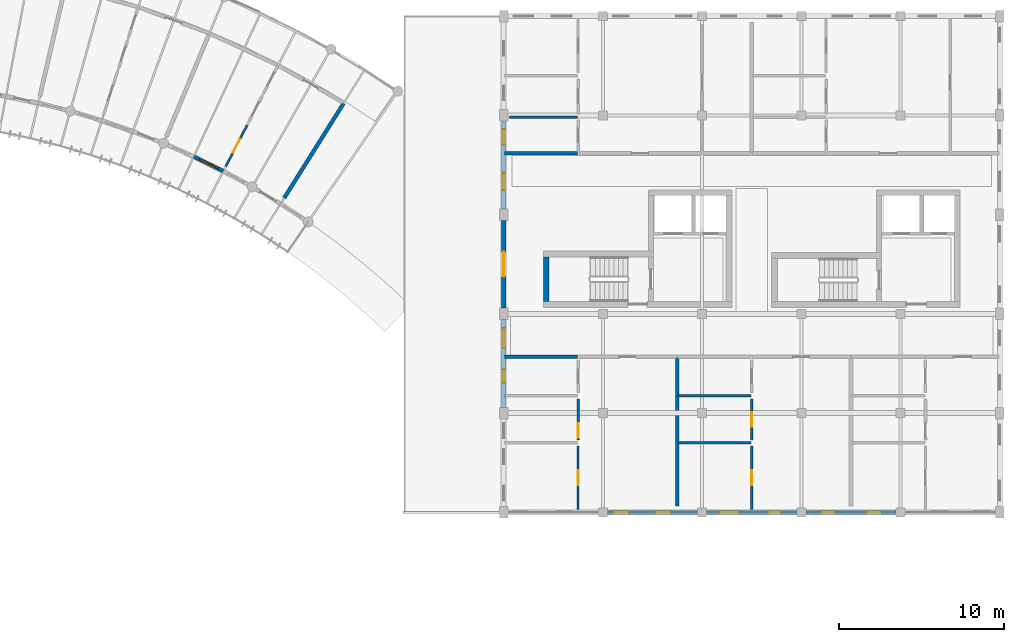
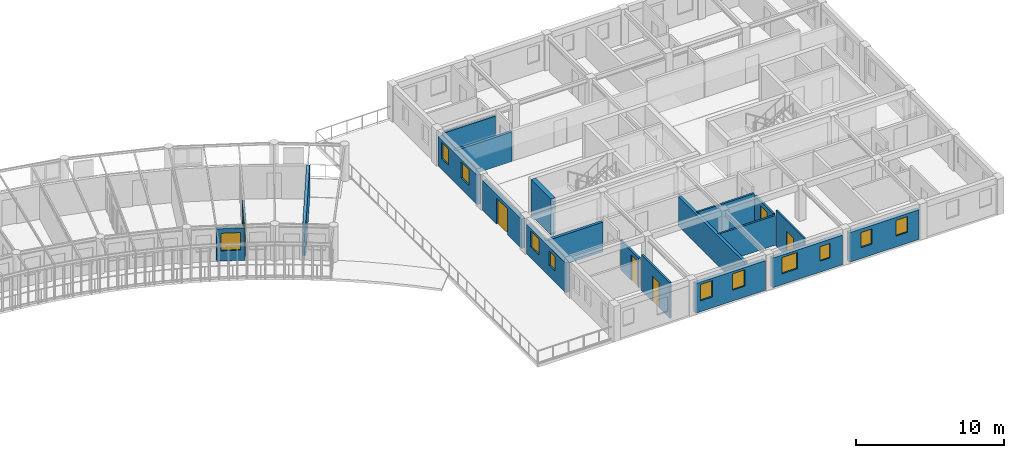
# One storey, part 78 of 101: 20 walls, 11 windows, 6 doors, 17 openings.
"""IFC4 building model written with IfcOpenShell, lengths in metres."""

from ifc_helpers import new_model, si_unit, direction, frame, frame_2d, origin, place, context, subcontext, project, spatial, rectangle, extrude, material, layer, layer_set, type_object, element, fill, save


model = new_model("IFC4")

# Units and contexts
model_context = context("Model", 3, precision=1e-05, world=origin(), true_north=direction((0.0, 1.0)))
body_context = subcontext(model_context, "Body", "Model", "MODEL_VIEW")
ifc_project = project(units=[si_unit("LENGTHUNIT", "METRE"), si_unit("AREAUNIT", "SQUARE_METRE"), si_unit("VOLUMEUNIT", "CUBIC_METRE"), si_unit("PLANEANGLEUNIT", "RADIAN"), si_unit("MASSUNIT", "GRAM", prefix="KILO"), si_unit("POWERUNIT", "WATT"), si_unit("THERMODYNAMICTEMPERATUREUNIT", "KELVIN")], contexts=[model_context])

# Site, building, storey
site_placement = place(None, origin())
site = spatial("IfcSite", under=ifc_project, at=site_placement, CompositionType="ELEMENT")
building_placement = place(site_placement, origin())
building = spatial("IfcBuilding", under=site, at=building_placement, Name="Ruvembo Vaulted Housing Court", CompositionType="ELEMENT")
storey_placement = place(building_placement, frame((0.0, 0.0, 17.300048828125)))
storey = spatial("IfcBuildingStorey", under=building, at=storey_placement, Name="L05", CompositionType="ELEMENT", Elevation=17.300048828125)

# Walls
ifc_material_1 = material(Name="Concrete C35/45", Category="concrete")
ifc_layer_1 = layer(ifc_material_1, 0.35009765625, Name="Concrete C35/45")
ifc_layer_set_1 = layer_set([ifc_layer_1], Name="Concrete C35/45")
wall_type_1 = type_object("IfcWallType", Name="WL-CORE-350", PredefinedType="SHEAR", material=ifc_layer_set_1)
wall_1_placement = place(storey_placement, frame((158.574951171875, 87.449951171875, 0.0), z_axis=(0.0, 0.0, 1.0), x_axis=(0.0, -1.0, 0.0)))
element("IfcWall", 1, at=wall_1_placement, inside=storey, type_object=wall_type_1, Name="Core D1 L05 Stair West Shear Wall", PredefinedType="SHEAR", context=body_context, shape_type="SweptSolid", body=[
    extrude(rectangle(XDim=2.699951171875, YDim=0.35009765625, at=frame_2d((1.35009765625, 0.0))), origin(), (0.0, 0.0, 1.0), 2.96484375),
])
ifc_material_2 = material(Name="Concrete Blockwork 210", Category="masonry")
ifc_layer_2 = layer(ifc_material_2, 0.2099609375, Name="Concrete Blockwork 210")
ifc_layer_set_2 = layer_set([ifc_layer_2], Name="Concrete Blockwork 210")
wall_type_2 = type_object("IfcWallType", Name="WL-CORR-210", PredefinedType="SOLIDWALL", material=ifc_layer_set_2)
for number, where, z_axis, x_axis, name in (
    (2, (156.0400390625, 81.39990234375, 0.0), (0.0, 0.0, 1.0), (1.0, 0.0, 0.0), "L05 Flat D-L05-S1 Corridor Wall WL-INT-L05-01537"),
    (3, (156.0400390625, 93.699951171875, 0.0), (0.0, 0.0, 1.0), (1.0, 0.0, 0.0), "L05 Flat D-L05-N1 Corridor Wall WL-INT-L05-01560"),
):
    element("IfcWall", number, at=place(storey_placement, frame(where, z_axis=z_axis, x_axis=x_axis)), inside=storey, type_object=wall_type_2, Name=name, PredefinedType="SOLIDWALL", context=body_context, shape_type="SweptSolid", body=[
        extrude(rectangle(XDim=4.419921875, YDim=0.2099609375, at=frame_2d((2.2099609375, 0.0))), origin(), (0.0, 0.0, 1.0), 2.447021484375),
    ])
ifc_material_3 = material(Name="Acoustic Masonry Demising 230", Category="masonry")
ifc_layer_3 = layer(ifc_material_3, 0.22998046875, Name="Acoustic Masonry Demising 230")
ifc_layer_set_3 = layer_set([ifc_layer_3], Name="Acoustic Masonry Demising 230")
wall_type_3 = type_object("IfcWallType", Name="WL-DEM-230", PredefinedType="SOLIDWALL", material=ifc_layer_set_3)
wall_2_placement = place(storey_placement, frame((166.5, 72.389892578125, 0.0), z_axis=(0.0, 0.0, 1.0), x_axis=(0.0, 1.0, 0.0)))
element("IfcWall", 4, at=wall_2_placement, inside=storey, type_object=wall_type_3, Name="L05 Demising D-L05-S1 WL-INT-L05-01536", PredefinedType="SOLIDWALL", context=body_context, shape_type="SweptSolid", body=[
    extrude(rectangle(XDim=8.97021484375, YDim=0.22998046875, at=frame_2d((4.485107421875, 0.0))), origin(), (0.0, 0.0, 1.0), 2.447021484375),
])
wall_3_placement = place(storey_placement, frame((142.73828125, 91.017333984375, 0.0), z_axis=(0.0, 0.0, 1.0), x_axis=(0.531512997039, 0.847050136638, 0.0)))
element("IfcWall", 5, at=wall_3_placement, inside=storey, type_object=wall_type_3, Name="L05 Suite SC3-L05-U7 Demising WL-INT-L05-01689", PredefinedType="SOLIDWALL", context=body_context, shape_type="SweptSolid", body=[
    extrude(rectangle(XDim=6.736083984375, YDim=0.22998046875, at=frame_2d((3.3681640625, 0.0))), origin(), (0.0, 0.0, 1.0), 2.75390625),
])

# Wall, opening, window
ifc_material_4 = material(Name="Rendered Masonry 235", Category="masonry")
ifc_layer_4 = layer(ifc_material_4, 0.235107421875, Name="Rendered Masonry 235")
ifc_layer_set_4 = layer_set([ifc_layer_4], Name="Rendered Masonry 235")
wall_type_4 = type_object("IfcWallType", Name="WL-EXT-235", PredefinedType="STANDARD", material=ifc_layer_set_4)
wall_4_placement = place(storey_placement, frame((137.283203125, 93.50341796875, 0.0), z_axis=(0.0, 0.0, 1.0), x_axis=(0.897531751182, -0.44094983345, 0.0)))
wall_4 = element("IfcWall", 6, at=wall_4_placement, inside=storey, type_object=wall_type_4, Name="Scoop SC3 L05 Concave Balcony Wall 25", PredefinedType="STANDARD", context=body_context, shape_type="SweptSolid", body=[
    extrude(rectangle(XDim=1.9521484375, YDim=0.235107421875, at=frame_2d((0.97607421875, 0.0))), origin(), (0.0, 0.0, 1.0), 2.676025390625),
])
opening_1_placement = place(wall_4_placement, frame((0.326171875, 0.0, 0.85009765625)))
opening_1 = element("IfcOpeningElement", 7, at=opening_1_placement, cuts=wall_4, Name="Opening W15", PredefinedType="OPENING", context=body_context, shape_type="SweptSolid", body=[
    extrude(rectangle(XDim=1.300048828125, YDim=1.449951171875, at=frame_2d((0.64990234375, 0.72509765625))), frame((0.0, 0.12744140625, 0.0), z_axis=(0.0, -1.0, 0.0), x_axis=(1.0, 0.0, 0.0)), (0.0, 0.0, 1.0), 0.255126953125),
])
ifc_material_5 = material(Name="Double Solar-Control Glazing in Aluminium Frame", Category="aluminium")
window_type_1 = type_object("IfcWindowType", Name="WIN-1300x1450", PartitioningType="SINGLE_PANEL", PredefinedType="WINDOW", material=ifc_material_5)
window_1_placement = place(opening_1_placement, origin())
window_1 = element("IfcWindow", 8, at=window_1_placement, inside=storey, type_object=window_type_1, Name="Scoop SC3 L05 Concave Window 25", OverallHeight=1.449951171875, OverallWidth=1.300048828125, PartitioningType="SINGLE_PANEL", PredefinedType="WINDOW", context=body_context, shape_type="SweptSolid", body=[
    extrude(rectangle(XDim=1.300048828125, YDim=1.449951171875, at=frame_2d((0.64990234375, 0.72509765625))), frame((0.0, 0.030029296875, 0.0), z_axis=(0.0, -1.0, 0.0), x_axis=(1.0, 0.0, 0.0)), (0.0, 0.0, 1.0), 0.06005859375),
])
fill(opening_1, window_1)

# Wall, openings, windows
ifc_material_6 = material(Name="Rendered Masonry 285", Category="masonry")
ifc_layer_5 = layer(ifc_material_6, 0.284912109375, Name="Rendered Masonry 285")
ifc_layer_set_5 = layer_set([ifc_layer_5], Name="Rendered Masonry 285")
wall_type_5 = type_object("IfcWallType", Name="WL-EXT-285", PredefinedType="STANDARD", material=ifc_layer_set_5)
wall_5_placement = place(storey_placement, frame((162.27490234375, 72.0, 0.0), z_axis=(0.0, 0.0, 1.0), x_axis=(1.0, 0.0, 0.0)))
wall_5 = element("IfcWall", 9, at=wall_5_placement, inside=storey, type_object=wall_type_5, Name="Block D L05 Exterior Wall COURTYARD #2", PredefinedType="STANDARD", context=body_context, shape_type="SweptSolid", body=[
    extrude(rectangle(XDim=5.4501953125, YDim=0.284912109375, at=frame_2d((2.72509765625, 0.0))), origin(), (0.0, 0.0, 1.0), 2.447021484375),
])
opening_2_placement = place(wall_5_placement, frame((0.35009765625, 0.0, 0.89990234375)))
opening_2 = element("IfcOpeningElement", 10, at=opening_2_placement, cuts=wall_5, Name="Opening W07", PredefinedType="OPENING", context=body_context, shape_type="SweptSolid", body=[
    extrude(rectangle(XDim=0.949951171875, YDim=1.35009765625, at=frame_2d((0.47509765625, 0.675048828125))), frame((0.0, 0.15234375, 0.0), z_axis=(0.0, -1.0, 0.0), x_axis=(1.0, 0.0, 0.0)), (0.0, 0.0, 1.0), 0.304931640625),
])
opening_3_placement = place(wall_5_placement, frame((2.885009765625, 0.0, 0.89990234375)))
opening_3 = element("IfcOpeningElement", 11, at=opening_3_placement, cuts=wall_5, Name="Opening W07", PredefinedType="OPENING", context=body_context, shape_type="SweptSolid", body=[
    extrude(rectangle(XDim=0.949951171875, YDim=1.35009765625, at=frame_2d((0.47509765625, 0.675048828125))), frame((0.0, 0.15234375, 0.0), z_axis=(0.0, -1.0, 0.0), x_axis=(1.0, 0.0, 0.0)), (0.0, 0.0, 1.0), 0.304931640625),
])
window_type_2 = type_object("IfcWindowType", Name="WIN-0950x1350", PartitioningType="SINGLE_PANEL", PredefinedType="WINDOW", material=ifc_material_5)
window_2_placement = place(opening_2_placement, origin())
window_2 = element("IfcWindow", 12, at=window_2_placement, inside=storey, type_object=window_type_2, Name="Block D L05 Window #1665", OverallHeight=1.35009765625, OverallWidth=0.949951171875, PartitioningType="SINGLE_PANEL", PredefinedType="WINDOW", context=body_context, shape_type="SweptSolid", body=[
    extrude(rectangle(XDim=0.949951171875, YDim=1.35009765625, at=frame_2d((0.47509765625, 0.675048828125))), frame((0.0, 0.030029296875, 0.0), z_axis=(0.0, -1.0, 0.0), x_axis=(1.0, 0.0, 0.0)), (0.0, 0.0, 1.0), 0.06005859375),
])
fill(opening_2, window_2)
window_3_placement = place(opening_3_placement, origin())
window_3 = element("IfcWindow", 13, at=window_3_placement, inside=storey, type_object=window_type_2, Name="Block D L05 Window #1666", OverallHeight=1.35009765625, OverallWidth=0.949951171875, PartitioningType="SINGLE_PANEL", PredefinedType="WINDOW", context=body_context, shape_type="SweptSolid", body=[
    extrude(rectangle(XDim=0.949951171875, YDim=1.35009765625, at=frame_2d((0.47509765625, 0.675048828125))), frame((0.0, 0.030029296875, 0.0), z_axis=(0.0, -1.0, 0.0), x_axis=(1.0, 0.0, 0.0)), (0.0, 0.0, 1.0), 0.06005859375),
])
fill(opening_3, window_3)

wall_6_placement = place(storey_placement, frame((168.27490234375, 72.0, 0.0), z_axis=(0.0, 0.0, 1.0), x_axis=(1.0, 0.0, 0.0)))
wall_6 = element("IfcWall", 14, at=wall_6_placement, inside=storey, type_object=wall_type_5, Name="Block D L05 Exterior Wall COURTYARD #3", PredefinedType="STANDARD", context=body_context, shape_type="SweptSolid", body=[
    extrude(rectangle(XDim=5.4501953125, YDim=0.284912109375, at=frame_2d((2.72509765625, 0.0))), origin(), (0.0, 0.0, 1.0), 2.447021484375),
])
opening_4_placement = place(wall_6_placement, frame((0.742431640625, 0.0, 0.89990234375)))
opening_4 = element("IfcOpeningElement", 15, at=opening_4_placement, cuts=wall_6, Name="Opening W12", PredefinedType="OPENING", context=body_context, shape_type="SweptSolid", body=[
    extrude(rectangle(XDim=1.199951171875, YDim=1.35009765625, at=frame_2d((0.60009765625, 0.675048828125))), frame((0.0, 0.15234375, 0.0), z_axis=(0.0, -1.0, 0.0), x_axis=(1.0, 0.0, 0.0)), (0.0, 0.0, 1.0), 0.304931640625),
])
opening_5_placement = place(wall_6_placement, frame((3.70751953125, 0.0, 0.89990234375)))
opening_5 = element("IfcOpeningElement", 16, at=opening_5_placement, cuts=wall_6, Name="Opening W02", PredefinedType="OPENING", context=body_context, shape_type="SweptSolid", body=[
    extrude(rectangle(XDim=0.800048828125, YDim=1.199951171875, at=frame_2d((0.39990234375, 0.60009765625))), frame((0.0, 0.15234375, 0.0), z_axis=(0.0, -1.0, 0.0), x_axis=(1.0, 0.0, 0.0)), (0.0, 0.0, 1.0), 0.304931640625),
])
window_type_3 = type_object("IfcWindowType", Name="WIN-0800x1200", PartitioningType="SINGLE_PANEL", PredefinedType="WINDOW", material=ifc_material_5)
window_4_placement = place(opening_5_placement, origin())
window_4 = element("IfcWindow", 17, at=window_4_placement, inside=storey, type_object=window_type_3, Name="Block D L05 Window #1668", OverallHeight=1.199951171875, OverallWidth=0.800048828125, PartitioningType="SINGLE_PANEL", PredefinedType="WINDOW", context=body_context, shape_type="SweptSolid", body=[
    extrude(rectangle(XDim=0.800048828125, YDim=1.199951171875, at=frame_2d((0.39990234375, 0.60009765625))), frame((0.0, 0.030029296875, 0.0), z_axis=(0.0, -1.0, 0.0), x_axis=(1.0, 0.0, 0.0)), (0.0, 0.0, 1.0), 0.06005859375),
])
fill(opening_5, window_4)
window_type_4 = type_object("IfcWindowType", Name="WIN-1200x1350", PartitioningType="SINGLE_PANEL", PredefinedType="WINDOW", material=ifc_material_5)
window_5_placement = place(opening_4_placement, origin())
window_5 = element("IfcWindow", 18, at=window_5_placement, inside=storey, type_object=window_type_4, Name="Block D L05 Window #1667", OverallHeight=1.35009765625, OverallWidth=1.199951171875, PartitioningType="SINGLE_PANEL", PredefinedType="WINDOW", context=body_context, shape_type="SweptSolid", body=[
    extrude(rectangle(XDim=1.199951171875, YDim=1.35009765625, at=frame_2d((0.60009765625, 0.675048828125))), frame((0.0, 0.030029296875, 0.0), z_axis=(0.0, -1.0, 0.0), x_axis=(1.0, 0.0, 0.0)), (0.0, 0.0, 1.0), 0.06005859375),
])
fill(opening_4, window_5)

wall_7_placement = place(storey_placement, frame((174.27490234375, 72.0, 0.0), z_axis=(0.0, 0.0, 1.0), x_axis=(1.0, 0.0, 0.0)))
wall_7 = element("IfcWall", 19, at=wall_7_placement, inside=storey, type_object=wall_type_5, Name="Block D L05 Exterior Wall COURTYARD #4", PredefinedType="STANDARD", context=body_context, shape_type="SweptSolid", body=[
    extrude(rectangle(XDim=5.4501953125, YDim=0.284912109375, at=frame_2d((2.72509765625, 0.0))), origin(), (0.0, 0.0, 1.0), 2.447021484375),
])
opening_6_placement = place(wall_7_placement, frame((0.91748046875, 0.0, 0.89990234375)))
opening_6 = element("IfcOpeningElement", 20, at=opening_6_placement, cuts=wall_7, Name="Opening W03", PredefinedType="OPENING", context=body_context, shape_type="SweptSolid", body=[
    extrude(rectangle(XDim=0.85009765625, YDim=1.25, at=frame_2d((0.425048828125, 0.625))), frame((0.0, 0.15234375, 0.0), z_axis=(0.0, -1.0, 0.0), x_axis=(1.0, 0.0, 0.0)), (0.0, 0.0, 1.0), 0.304931640625),
])
opening_7_placement = place(wall_7_placement, frame((3.657470703125, 0.0, 0.89990234375)))
opening_7 = element("IfcOpeningElement", 21, at=opening_7_placement, cuts=wall_7, Name="Opening W04", PredefinedType="OPENING", context=body_context, shape_type="SweptSolid", body=[
    extrude(rectangle(XDim=0.89990234375, YDim=1.300048828125, at=frame_2d((0.449951171875, 0.64990234375))), frame((0.0, 0.15234375, 0.0), z_axis=(0.0, -1.0, 0.0), x_axis=(1.0, 0.0, 0.0)), (0.0, 0.0, 1.0), 0.304931640625),
])
window_type_5 = type_object("IfcWindowType", Name="WIN-0850x1250", PartitioningType="SINGLE_PANEL", PredefinedType="WINDOW", material=ifc_material_5)
window_6_placement = place(opening_6_placement, origin())
window_6 = element("IfcWindow", 22, at=window_6_placement, inside=storey, type_object=window_type_5, Name="Block D L05 Window #1669", OverallHeight=1.25, OverallWidth=0.85009765625, PartitioningType="SINGLE_PANEL", PredefinedType="WINDOW", context=body_context, shape_type="SweptSolid", body=[
    extrude(rectangle(XDim=0.85009765625, YDim=1.25, at=frame_2d((0.425048828125, 0.625))), frame((0.0, 0.030029296875, 0.0), z_axis=(0.0, -1.0, 0.0), x_axis=(1.0, 0.0, 0.0)), (0.0, 0.0, 1.0), 0.06005859375),
])
fill(opening_6, window_6)
window_type_6 = type_object("IfcWindowType", Name="WIN-0900x1300", PartitioningType="SINGLE_PANEL", PredefinedType="WINDOW", material=ifc_material_5)
window_7_placement = place(opening_7_placement, origin())
window_7 = element("IfcWindow", 23, at=window_7_placement, inside=storey, type_object=window_type_6, Name="Block D L05 Window #1670", OverallHeight=1.300048828125, OverallWidth=0.89990234375, PartitioningType="SINGLE_PANEL", PredefinedType="WINDOW", context=body_context, shape_type="SweptSolid", body=[
    extrude(rectangle(XDim=0.89990234375, YDim=1.300048828125, at=frame_2d((0.449951171875, 0.64990234375))), frame((0.0, 0.030029296875, 0.0), z_axis=(0.0, -1.0, 0.0), x_axis=(1.0, 0.0, 0.0)), (0.0, 0.0, 1.0), 0.06005859375),
])
fill(opening_7, window_7)

wall_8_placement = place(storey_placement, frame((156.0, 95.64990234375, 0.0), z_axis=(0.0, 0.0, 1.0), x_axis=(0.0, -1.0, 0.0)))
wall_8 = element("IfcWall", 24, at=wall_8_placement, inside=storey, type_object=wall_type_5, Name="Block D L05 Exterior Wall WEST #2", PredefinedType="STANDARD", context=body_context, shape_type="SweptSolid", body=[
    extrude(rectangle(XDim=5.2998046875, YDim=0.284912109375, at=frame_2d((2.64990234375, 0.0))), origin(), (0.0, 0.0, 1.0), 2.447021484375),
])
opening_8_placement = place(wall_8_placement, frame((0.47998046875, 0.0, 0.89990234375)))
opening_8 = element("IfcOpeningElement", 25, at=opening_8_placement, cuts=wall_8, Name="Opening W07", PredefinedType="OPENING", context=body_context, shape_type="SweptSolid", body=[
    extrude(rectangle(XDim=0.949951171875, YDim=1.35009765625, at=frame_2d((0.47509765625, 0.675048828125))), frame((0.0, 0.15234375, 0.0), z_axis=(0.0, -1.0, 0.0), x_axis=(1.0, 0.0, 0.0)), (0.0, 0.0, 1.0), 0.304931640625),
])
opening_9_placement = place(wall_8_placement, frame((3.1201171875, 0.0, 0.89990234375)))
opening_9 = element("IfcOpeningElement", 26, at=opening_9_placement, cuts=wall_8, Name="Opening W09", PredefinedType="OPENING", context=body_context, shape_type="SweptSolid", body=[
    extrude(rectangle(XDim=1.050048828125, YDim=1.35009765625, at=frame_2d((0.52490234375, 0.675048828125))), frame((0.0, 0.15234375, 0.0), z_axis=(0.0, -1.0, 0.0), x_axis=(1.0, 0.0, 0.0)), (0.0, 0.0, 1.0), 0.304931640625),
])
window_8_placement = place(opening_8_placement, origin())
window_8 = element("IfcWindow", 27, at=window_8_placement, inside=storey, type_object=window_type_2, Name="Block D L05 Window #1695", OverallHeight=1.35009765625, OverallWidth=0.949951171875, PartitioningType="SINGLE_PANEL", PredefinedType="WINDOW", context=body_context, shape_type="SweptSolid", body=[
    extrude(rectangle(XDim=0.949951171875, YDim=1.35009765625, at=frame_2d((0.47509765625, 0.675048828125))), frame((0.0, 0.030029296875, 0.0), z_axis=(0.0, -1.0, 0.0), x_axis=(1.0, 0.0, 0.0)), (0.0, 0.0, 1.0), 0.06005859375),
])
fill(opening_8, window_8)
window_type_7 = type_object("IfcWindowType", Name="WIN-1050x1350", PartitioningType="SINGLE_PANEL", PredefinedType="WINDOW", material=ifc_material_5)
window_9_placement = place(opening_9_placement, origin())
window_9 = element("IfcWindow", 28, at=window_9_placement, inside=storey, type_object=window_type_7, Name="Block D L05 Window #1696", OverallHeight=1.35009765625, OverallWidth=1.050048828125, PartitioningType="SINGLE_PANEL", PredefinedType="WINDOW", context=body_context, shape_type="SweptSolid", body=[
    extrude(rectangle(XDim=1.050048828125, YDim=1.35009765625, at=frame_2d((0.52490234375, 0.675048828125))), frame((0.0, 0.030029296875, 0.0), z_axis=(0.0, -1.0, 0.0), x_axis=(1.0, 0.0, 0.0)), (0.0, 0.0, 1.0), 0.06005859375),
])
fill(opening_9, window_9)

# Wall, opening, door
wall_9_placement = place(storey_placement, frame((156.0, 89.64990234375, 0.0), z_axis=(0.0, 0.0, 1.0), x_axis=(0.0, -1.0, 0.0)))
wall_9 = element("IfcWall", 29, at=wall_9_placement, inside=storey, type_object=wall_type_5, Name="Block D L05 Exterior Wall WEST #3", PredefinedType="STANDARD", context=body_context, shape_type="SweptSolid", body=[
    extrude(rectangle(XDim=5.2998046875, YDim=0.284912109375, at=frame_2d((2.64990234375, 0.0))), origin(), (0.0, 0.0, 1.0), 2.447021484375),
])
opening_10_placement = place(wall_9_placement, frame((1.89990234375, 0.0, 0.0)))
opening_10 = element("IfcOpeningElement", 30, at=opening_10_placement, cuts=wall_9, Name="Opening TD1", PredefinedType="OPENING", context=body_context, shape_type="SweptSolid", body=[
    extrude(rectangle(XDim=1.5, YDim=2.14990234375, at=frame_2d((0.75, 1.074951171875))), frame((0.0, 0.15234375, 0.0), z_axis=(0.0, -1.0, 0.0), x_axis=(1.0, 0.0, 0.0)), (0.0, 0.0, 1.0), 0.304931640625),
])
ifc_material_7 = material(Name="Thermally Broken Glazed Aluminium", Category="aluminium")
door_type_1 = type_object("IfcDoorType", Name="DR-TER-1500x2150", OperationType="NOTDEFINED", PredefinedType="DOOR", material=ifc_material_7)
door_1_placement = place(opening_10_placement, frame((1.5, 0.0, 0.0), z_axis=(0.0, 0.0, 1.0), x_axis=(-1.0, 0.0, 0.0)))
door_1 = element("IfcDoor", 31, at=door_1_placement, inside=storey, type_object=door_type_1, Name="Block D L05 Terrace or Gallery Door DR-TER-D-L05-076", OperationType="SINGLE_SWING_LEFT", OverallHeight=2.14990234375, OverallWidth=1.5, PredefinedType="DOOR", context=body_context, shape_type="SweptSolid", body=[
    extrude(rectangle(XDim=1.5, YDim=2.14990234375, at=frame_2d((0.75, 1.074951171875))), frame((0.0, 0.02490234375, 0.0), z_axis=(0.0, -1.0, 0.0), x_axis=(1.0, 0.0, 0.0)), (0.0, 0.0, 1.0), 0.050048828125),
])
fill(opening_10, door_1)

# Wall, openings, windows
wall_10_placement = place(storey_placement, frame((156.0, 83.64990234375, 0.0), z_axis=(0.0, 0.0, 1.0), x_axis=(0.0, -1.0, 0.0)))
wall_10 = element("IfcWall", 32, at=wall_10_placement, inside=storey, type_object=wall_type_5, Name="Block D L05 Exterior Wall WEST #4", PredefinedType="STANDARD", context=body_context, shape_type="SweptSolid", body=[
    extrude(rectangle(XDim=5.2998046875, YDim=0.284912109375, at=frame_2d((2.64990234375, 0.0))), origin(), (0.0, 0.0, 1.0), 2.447021484375),
])
opening_11_placement = place(wall_10_placement, frame((0.5048828125, 0.0, 0.89990234375)))
opening_11 = element("IfcOpeningElement", 33, at=opening_11_placement, cuts=wall_10, Name="Opening W12", PredefinedType="OPENING", context=body_context, shape_type="SweptSolid", body=[
    extrude(rectangle(XDim=1.199951171875, YDim=1.35009765625, at=frame_2d((0.60009765625, 0.675048828125))), frame((0.0, 0.15234375, 0.0), z_axis=(0.0, -1.0, 0.0), x_axis=(1.0, 0.0, 0.0)), (0.0, 0.0, 1.0), 0.304931640625),
])
opening_12_placement = place(wall_10_placement, frame((3.02490234375, 0.0, 0.89990234375)))
opening_12 = element("IfcOpeningElement", 34, at=opening_12_placement, cuts=wall_10, Name="Opening W02", PredefinedType="OPENING", context=body_context, shape_type="SweptSolid", body=[
    extrude(rectangle(XDim=0.800048828125, YDim=1.199951171875, at=frame_2d((0.39990234375, 0.60009765625))), frame((0.0, 0.15234375, 0.0), z_axis=(0.0, -1.0, 0.0), x_axis=(1.0, 0.0, 0.0)), (0.0, 0.0, 1.0), 0.304931640625),
])
window_10_placement = place(opening_12_placement, origin())
window_10 = element("IfcWindow", 35, at=window_10_placement, inside=storey, type_object=window_type_3, Name="Block D L05 Window #1698", OverallHeight=1.199951171875, OverallWidth=0.800048828125, PartitioningType="SINGLE_PANEL", PredefinedType="WINDOW", context=body_context, shape_type="SweptSolid", body=[
    extrude(rectangle(XDim=0.800048828125, YDim=1.199951171875, at=frame_2d((0.39990234375, 0.60009765625))), frame((0.0, 0.030029296875, 0.0), z_axis=(0.0, -1.0, 0.0), x_axis=(1.0, 0.0, 0.0)), (0.0, 0.0, 1.0), 0.06005859375),
])
fill(opening_12, window_10)
window_11_placement = place(opening_11_placement, origin())
window_11 = element("IfcWindow", 36, at=window_11_placement, inside=storey, type_object=window_type_4, Name="Block D L05 Window #1697", OverallHeight=1.35009765625, OverallWidth=1.199951171875, PartitioningType="SINGLE_PANEL", PredefinedType="WINDOW", context=body_context, shape_type="SweptSolid", body=[
    extrude(rectangle(XDim=1.199951171875, YDim=1.35009765625, at=frame_2d((0.60009765625, 0.675048828125))), frame((0.0, 0.030029296875, 0.0), z_axis=(0.0, -1.0, 0.0), x_axis=(1.0, 0.0, 0.0)), (0.0, 0.0, 1.0), 0.06005859375),
])
fill(opening_11, window_11)

# Wall, opening, door
ifc_material_8 = material(Name="Plasterboard Stud Partition 125", Category="gypsum")
ifc_layer_6 = layer(ifc_material_8, 0.125, Name="Plasterboard Stud Partition 125")
ifc_layer_set_6 = layer_set([ifc_layer_6], Name="Plasterboard Stud Partition 125")
wall_type_6 = type_object("IfcWallType", Name="WL-PART-125", PredefinedType="PARTITIONING", material=ifc_layer_set_6)
wall_11_placement = place(storey_placement, frame((171.0, 72.18994140625, 0.0), z_axis=(0.0, 0.0, 1.0), x_axis=(0.0, 1.0, 0.0)))
wall_11 = element("IfcWall", 37, at=wall_11_placement, inside=storey, type_object=wall_type_6, Name="L05 Flat D-L05-S2 Bedroom 1 WL-INT-L05-01547", PredefinedType="PARTITIONING", context=body_context, shape_type="SweptSolid", body=[
    extrude(rectangle(XDim=3.820068359375, YDim=0.125, at=frame_2d((1.91015625, 0.0))), origin(), (0.0, 0.0, 1.0), 2.96484375),
])
opening_13_placement = place(wall_11_placement, frame((1.4599609375, 0.0, 0.0)))
opening_13 = element("IfcOpeningElement", 38, at=opening_13_placement, cuts=wall_11, Name="Opening ID1", PredefinedType="OPENING", context=body_context, shape_type="SweptSolid", body=[
    extrude(rectangle(XDim=0.89990234375, YDim=2.10009765625, at=frame_2d((0.449951171875, 1.050048828125))), frame((0.0, 0.072509765625, 0.0), z_axis=(0.0, -1.0, 0.0), x_axis=(1.0, 0.0, 0.0)), (0.0, 0.0, 1.0), 0.14501953125),
])
ifc_material_9 = material(Name="FSC Hardwood and Engineered Timber", Category="wood")
door_type_2 = type_object("IfcDoorType", Name="DR-ROOM-0900x2100", OperationType="NOTDEFINED", PredefinedType="DOOR", material=ifc_material_9)
door_2_placement = place(opening_13_placement, origin())
door_2 = element("IfcDoor", 39, at=door_2_placement, inside=storey, type_object=door_type_2, Name="L05 Flat D-L05-S2 Bedroom 1 Door DR-INT-L05-00866", OperationType="SINGLE_SWING_RIGHT", OverallHeight=2.10009765625, OverallWidth=0.89990234375, PredefinedType="DOOR", context=body_context, shape_type="SweptSolid", body=[
    extrude(rectangle(XDim=0.89990234375, YDim=2.10009765625, at=frame_2d((0.449951171875, 1.050048828125))), frame((0.0, 0.02490234375, 0.0), z_axis=(0.0, -1.0, 0.0), x_axis=(1.0, 0.0, 0.0)), (0.0, 0.0, 1.0), 0.050048828125),
])
fill(opening_13, door_2)

ifc_material_10 = material(Name="Acoustic Stud Partition 135", Category="gypsum")
ifc_layer_7 = layer(ifc_material_10, 0.135009765625, Name="Acoustic Stud Partition 135")
ifc_layer_set_7 = layer_set([ifc_layer_7], Name="Acoustic Stud Partition 135")
wall_type_7 = type_object("IfcWallType", Name="WL-PART-135", PredefinedType="PARTITIONING", material=ifc_layer_set_7)
wall_12_placement = place(storey_placement, frame((160.5, 72.18994140625, 0.0), z_axis=(0.0, 0.0, 1.0), x_axis=(0.0, 1.0, 0.0)))
wall_12 = element("IfcWall", 40, at=wall_12_placement, inside=storey, type_object=wall_type_7, Name="L05 Flat D-L05-S1 Bedroom 1 WL-INT-L05-01539", PredefinedType="PARTITIONING", context=body_context, shape_type="SweptSolid", body=[
    extrude(rectangle(XDim=3.820068359375, YDim=0.135009765625, at=frame_2d((1.91015625, 0.0))), origin(), (0.0, 0.0, 1.0), 2.96484375),
])
opening_14_placement = place(wall_12_placement, frame((1.4599609375, 0.0, 0.0)))
opening_14 = element("IfcOpeningElement", 41, at=opening_14_placement, cuts=wall_12, Name="Opening ID1", PredefinedType="OPENING", context=body_context, shape_type="SweptSolid", body=[
    extrude(rectangle(XDim=0.89990234375, YDim=2.10009765625, at=frame_2d((0.449951171875, 1.050048828125))), frame((0.0, 0.077392578125, 0.0), z_axis=(0.0, -1.0, 0.0), x_axis=(1.0, 0.0, 0.0)), (0.0, 0.0, 1.0), 0.155029296875),
])
door_3_placement = place(opening_14_placement, origin())
door_3 = element("IfcDoor", 42, at=door_3_placement, inside=storey, type_object=door_type_2, Name="L05 Flat D-L05-S1 Bedroom 1 Door DR-INT-L05-00862", OperationType="SINGLE_SWING_RIGHT", OverallHeight=2.10009765625, OverallWidth=0.89990234375, PredefinedType="DOOR", context=body_context, shape_type="SweptSolid", body=[
    extrude(rectangle(XDim=0.89990234375, YDim=2.10009765625, at=frame_2d((0.449951171875, 1.050048828125))), frame((0.0, 0.02490234375, 0.0), z_axis=(0.0, -1.0, 0.0), x_axis=(1.0, 0.0, 0.0)), (0.0, 0.0, 1.0), 0.050048828125),
])
fill(opening_14, door_3)

wall_13_placement = place(storey_placement, frame((139.2041015625, 92.92529296875, 0.0), z_axis=(0.0, 0.0, 1.0), x_axis=(0.459449012792, 0.888204145816, 0.0)))
wall_13 = element("IfcWall", 43, at=wall_13_placement, inside=storey, type_object=wall_type_7, Name="L05 Suite SC3-L05-U7 Bedroom WL-INT-L05-01686", PredefinedType="PARTITIONING", context=body_context, shape_type="SweptSolid", body=[
    extrude(rectangle(XDim=2.7998046875, YDim=0.135009765625, at=frame_2d((1.39990234375, 0.0))), origin(), (0.0, 0.0, 1.0), 2.7138671875),
])
opening_15_placement = place(wall_13_placement, frame((0.949951171875, 0.0, 0.0)))
opening_15 = element("IfcOpeningElement", 44, at=opening_15_placement, cuts=wall_13, Name="Opening ID1", PredefinedType="OPENING", context=body_context, shape_type="SweptSolid", body=[
    extrude(rectangle(XDim=0.89990234375, YDim=2.10009765625, at=frame_2d((0.449951171875, 1.050048828125))), frame((0.0, 0.077392578125, 0.0), z_axis=(0.0, -1.0, 0.0), x_axis=(1.0, 0.0, 0.0)), (0.0, 0.0, 1.0), 0.155029296875),
])
door_4_placement = place(opening_15_placement, origin())
door_4 = element("IfcDoor", 45, at=door_4_placement, inside=storey, type_object=door_type_2, Name="L05 Suite SC3-L05-U7 Bedroom Door DR-INT-L05-00956", OperationType="SINGLE_SWING_RIGHT", OverallHeight=2.10009765625, OverallWidth=0.89990234375, PredefinedType="DOOR", context=body_context, shape_type="SweptSolid", body=[
    extrude(rectangle(XDim=0.89990234375, YDim=2.10009765625, at=frame_2d((0.449951171875, 1.050048828125))), frame((0.0, 0.02490234375, 0.0), z_axis=(0.0, -1.0, 0.0), x_axis=(1.0, 0.0, 0.0)), (0.0, 0.0, 1.0), 0.050048828125),
])
fill(opening_15, door_4)

# Walls
ifc_material_11 = material(Name="Moisture-Resistant Wet Partition 150", Category="gypsum")
ifc_layer_8 = layer(ifc_material_11, 0.14990234375, Name="Moisture-Resistant Wet Partition 150")
ifc_layer_set_8 = layer_set([ifc_layer_8], Name="Moisture-Resistant Wet Partition 150")
wall_type_8 = type_object("IfcWallType", Name="WL-PART-150", PredefinedType="PARTITIONING", material=ifc_layer_set_8)
wall_14_placement = place(storey_placement, frame((166.5400390625, 76.199951171875, 0.0), z_axis=(0.0, 0.0, 1.0), x_axis=(1.0, 0.0, 0.0)))
element("IfcWall", 46, at=wall_14_placement, inside=storey, type_object=wall_type_8, Name="L05 Flat D-L05-S2 Wet Wall 1 WL-INT-L05-01550", PredefinedType="PARTITIONING", context=body_context, shape_type="SweptSolid", body=[
    extrude(rectangle(XDim=4.419921875, YDim=0.14990234375, at=frame_2d((2.2099609375, 0.0))), origin(), (0.0, 0.0, 1.0), 2.4580078125),
])
wall_15_placement = place(storey_placement, frame((166.5400390625, 79.050048828125, 0.0), z_axis=(0.0, 0.0, 1.0), x_axis=(1.0, 0.0, 0.0)))
element("IfcWall", 47, at=wall_15_placement, inside=storey, type_object=wall_type_8, Name="L05 Flat D-L05-S2 Wet Wall 2 WL-INT-L05-01551", PredefinedType="PARTITIONING", context=body_context, shape_type="SweptSolid", body=[
    extrude(rectangle(XDim=4.419921875, YDim=0.14990234375, at=frame_2d((2.2099609375, 0.0))), origin(), (0.0, 0.0, 1.0), 2.5478515625),
])
wall_16_placement = place(storey_placement, frame((156.360107421875, 95.89990234375, 0.0), z_axis=(0.0, 0.0, 1.0), x_axis=(1.0, 0.0, 0.0)))
element("IfcWall", 48, at=wall_16_placement, inside=storey, type_object=wall_type_8, Name="L05 Flat D-L05-N1 Wet Wall 2 WL-INT-L05-01566", PredefinedType="PARTITIONING", context=body_context, shape_type="SweptSolid", body=[
    extrude(rectangle(XDim=4.099853515625, YDim=0.14990234375, at=frame_2d((2.0498046875, 0.0))), origin(), (0.0, 0.0, 1.0), 2.407958984375),
])

# Wall, opening, door
ifc_material_12 = material(Name="Acoustic Service Chase Wall 160", Category="gypsum")
ifc_layer_9 = layer(ifc_material_12, 0.159912109375, Name="Acoustic Service Chase Wall 160")
ifc_layer_set_9 = layer_set([ifc_layer_9], Name="Acoustic Service Chase Wall 160")
wall_type_9 = type_object("IfcWallType", Name="WL-PLUMB-160", PredefinedType="PLUMBINGWALL", material=ifc_layer_set_9)
wall_17_placement = place(storey_placement, frame((160.5, 76.389892578125, 0.0), z_axis=(0.0, 0.0, 1.0), x_axis=(0.0, 1.0, 0.0)))
wall_17 = element("IfcWall", 49, at=wall_17_placement, inside=storey, type_object=wall_type_9, Name="L05 Flat D-L05-S1 Kitchen WL-INT-L05-01540", PredefinedType="PLUMBINGWALL", context=body_context, shape_type="SweptSolid", body=[
    extrude(rectangle(XDim=2.47021484375, YDim=0.159912109375, at=frame_2d((1.235107421875, 0.0))), origin(), (0.0, 0.0, 1.0), 2.447021484375),
])
opening_16_placement = place(wall_17_placement, frame((0.1298828125, 0.0, 0.0)))
opening_16 = element("IfcOpeningElement", 50, at=opening_16_placement, cuts=wall_17, Name="Opening ID3", PredefinedType="OPENING", context=body_context, shape_type="SweptSolid", body=[
    extrude(rectangle(XDim=0.8798828125, YDim=2.10009765625, at=frame_2d((0.43994140625, 1.050048828125))), frame((0.0, 0.08984375, 0.0), z_axis=(0.0, -1.0, 0.0), x_axis=(1.0, 0.0, 0.0)), (0.0, 0.0, 1.0), 0.179931640625),
])
door_type_3 = type_object("IfcDoorType", Name="DR-ROOM-0880x2100", OperationType="NOTDEFINED", PredefinedType="DOOR", material=ifc_material_9)
door_5_placement = place(opening_16_placement, origin())
door_5 = element("IfcDoor", 51, at=door_5_placement, inside=storey, type_object=door_type_3, Name="L05 Flat D-L05-S1 Kitchen Door DR-INT-L05-00863", OperationType="SINGLE_SWING_LEFT", OverallHeight=2.10009765625, OverallWidth=0.8798828125, PredefinedType="DOOR", context=body_context, shape_type="SweptSolid", body=[
    extrude(rectangle(XDim=0.8798828125, YDim=2.10009765625, at=frame_2d((0.43994140625, 1.050048828125))), frame((0.0, 0.02490234375, 0.0), z_axis=(0.0, -1.0, 0.0), x_axis=(1.0, 0.0, 0.0)), (0.0, 0.0, 1.0), 0.050048828125),
])
fill(opening_16, door_5)

wall_18_placement = place(storey_placement, frame((171.0, 76.389892578125, 0.0), z_axis=(0.0, 0.0, 1.0), x_axis=(0.0, 1.0, 0.0)))
wall_18 = element("IfcWall", 52, at=wall_18_placement, inside=storey, type_object=wall_type_9, Name="L05 Flat D-L05-S2 Kitchen WL-INT-L05-01548", PredefinedType="PLUMBINGWALL", context=body_context, shape_type="SweptSolid", body=[
    extrude(rectangle(XDim=2.47021484375, YDim=0.159912109375, at=frame_2d((1.235107421875, 0.0))), origin(), (0.0, 0.0, 1.0), 2.447021484375),
])
opening_17_placement = place(wall_18_placement, frame((0.794921875, 0.0, 0.0)))
opening_17 = element("IfcOpeningElement", 53, at=opening_17_placement, cuts=wall_18, Name="Opening ID3", PredefinedType="OPENING", context=body_context, shape_type="SweptSolid", body=[
    extrude(rectangle(XDim=0.8798828125, YDim=2.10009765625, at=frame_2d((0.43994140625, 1.050048828125))), frame((0.0, 0.08984375, 0.0), z_axis=(0.0, -1.0, 0.0), x_axis=(1.0, 0.0, 0.0)), (0.0, 0.0, 1.0), 0.179931640625),
])
door_6_placement = place(opening_17_placement, origin())
door_6 = element("IfcDoor", 54, at=door_6_placement, inside=storey, type_object=door_type_3, Name="L05 Flat D-L05-S2 Kitchen Door DR-INT-L05-00867", OperationType="SINGLE_SWING_LEFT", OverallHeight=2.10009765625, OverallWidth=0.8798828125, PredefinedType="DOOR", context=body_context, shape_type="SweptSolid", body=[
    extrude(rectangle(XDim=0.8798828125, YDim=2.10009765625, at=frame_2d((0.43994140625, 1.050048828125))), frame((0.0, 0.02490234375, 0.0), z_axis=(0.0, -1.0, 0.0), x_axis=(1.0, 0.0, 0.0)), (0.0, 0.0, 1.0), 0.050048828125),
])
fill(opening_17, door_6)

save(model, "model.ifc")
